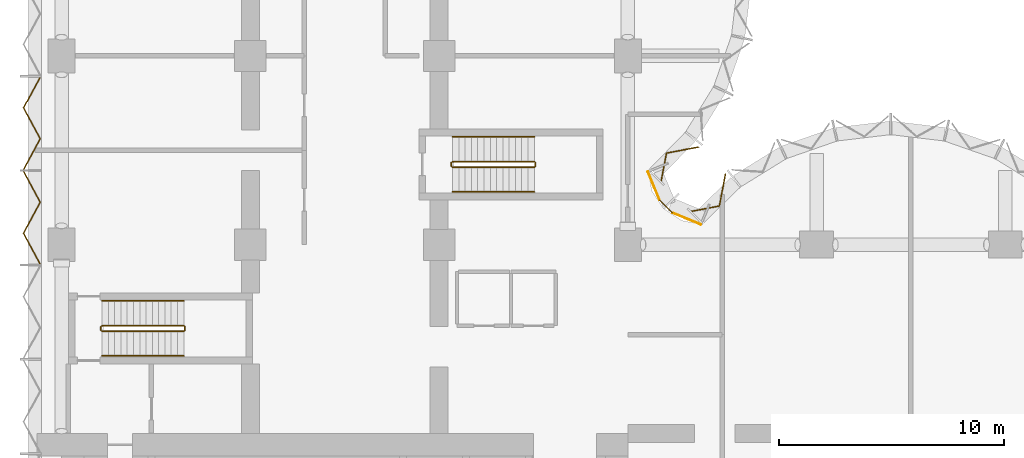
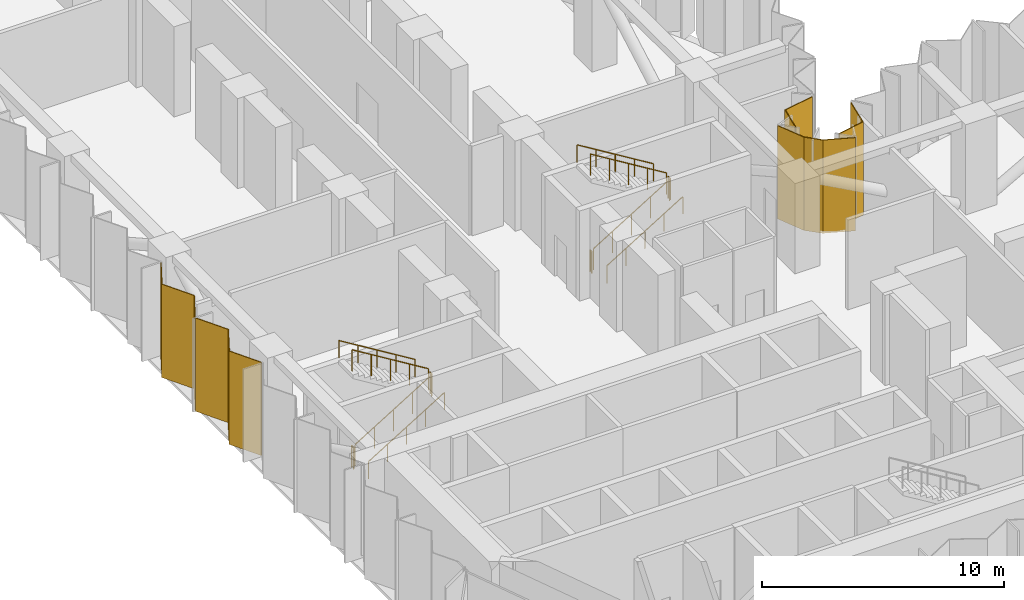
# One storey, part 16 of 18: 12 railings, 7 coverings, 4 elements without a shape of their own.
"""IFC4 building model written with IfcOpenShell, lengths in metres."""

from ifc_helpers import new_model, si_unit, direction, frame, origin, origin_2d, place, context, subcontext, project, spatial, polyline, circle, outline, extrude, material, layer, layer_set, type_object, element, aggregate, save


model = new_model("IFC4")

# Units and contexts
model_context = context("Model", 3, precision=1e-05, world=origin(), true_north=direction((0.0, 1.0)))
body_context = subcontext(model_context, "Body", "Model", "MODEL_VIEW")
ifc_project = project(units=[si_unit("LENGTHUNIT", "METRE"), si_unit("AREAUNIT", "SQUARE_METRE"), si_unit("VOLUMEUNIT", "CUBIC_METRE"), si_unit("PLANEANGLEUNIT", "RADIAN"), si_unit("MASSUNIT", "GRAM", prefix="KILO")], contexts=[model_context])

# Site, building, storey
site_placement = place(None, origin())
site = spatial("IfcSite", under=ifc_project, at=site_placement, CompositionType="ELEMENT")
building_placement = place(site_placement, origin())
building = spatial("IfcBuilding", under=site, at=building_placement, Name="Brevane Broadcast Tower", CompositionType="ELEMENT")
storey_placement = place(building_placement, frame((0.0, 0.0, 86.89990234375)))
storey = spatial("IfcBuildingStorey", under=building, at=storey_placement, Name="L20", CompositionType="ELEMENT", Elevation=86.89990234375)

# Curtain wall, covering
ifc_material_1 = material(Name="Aluminium 6063-T6 bronze anodised", Category="aluminium")
curtain_wall_type = type_object("IfcCurtainWallType", Name="CW-3 curtain wall", PredefinedType="NOTDEFINED", material=ifc_material_1)
curtain_wall_1_placement = place(storey_placement, origin())
curtain_wall_1 = element("IfcCurtainWall", 1, at=curtain_wall_1_placement, inside=storey, type_object=curtain_wall_type, Name="CW-3 refuge louvre unit L20 east bow", PredefinedType="NOTDEFINED")
ifc_material_2 = material(Name="Aluminium bronze anodised cladding", Category="aluminium")
ifc_layer_1 = layer(ifc_material_2, 0.050048828125)
ifc_layer_set_1 = layer_set([ifc_layer_1], Name="CW refuge spandrel 50")
covering_type_1 = type_object("IfcCoveringType", Name="CW refuge spandrel 50", PredefinedType="CLADDING", material=ifc_layer_set_1)
covering_1_placement = place(storey_placement, frame((0.0, 0.0, -0.159912109375)))
covering_1 = element("IfcCovering", 2, at=covering_1_placement, type_object=covering_type_1, Name="Refuge cladding panel", PredefinedType="CLADDING", context=body_context, shape_type="SweptSolid", body=[
    extrude(outline(polyline([(29.564697265625, 28.340576171875), (29.531982421875, 28.382568359375), (29.2607421875, 26.9423828125), (27.97900390625, 26.693603515625), (28.01220703125, 26.659423828125), (29.294921875, 26.908203125), (29.564697265625, 28.340576171875)])), origin(), (0.0, 0.0, 1.0), 4.7099609375),
])
aggregate(curtain_wall_1, [covering_1])

# Curtain wall, coverings
curtain_wall_2_placement = place(storey_placement, origin())
curtain_wall_2 = element("IfcCurtainWall", 3, at=curtain_wall_2_placement, inside=storey, type_object=curtain_wall_type, Name="CW-3 refuge louvre unit L20 inner corner", PredefinedType="NOTDEFINED")
covering_2_placement = place(storey_placement, frame((0.0, 0.0, -0.159912109375)))
covering_2 = element("IfcCovering", 4, at=covering_2_placement, type_object=covering_type_1, Name="Refuge cladding panel", PredefinedType="CLADDING", context=body_context, shape_type="SweptSolid", body=[
    extrude(outline(polyline([(28.447021484375, 26.07666015625), (28.46240234375, 26.113525390625), (27.20703125, 26.63330078125), (27.176513671875, 26.602783203125), (28.447021484375, 26.07666015625)])), origin(), (0.0, 0.0, 1.0), 4.7099609375),
])
covering_3_placement = place(storey_placement, frame((0.0, 0.0, -0.159912109375)))
covering_3 = element("IfcCovering", 5, at=covering_3_placement, type_object=covering_type_1, Name="Refuge cladding panel", PredefinedType="CLADDING", context=body_context, shape_type="SweptSolid", body=[
    extrude(outline(polyline([(26.602783203125, 27.176513671875), (26.63330078125, 27.20703125), (26.113525390625, 28.46240234375), (26.07666015625, 28.447021484375), (26.602783203125, 27.176513671875)])), origin(), (0.0, 0.0, 1.0), 4.7099609375),
])

# Curtain wall, covering
curtain_wall_3_placement = place(storey_placement, origin())
curtain_wall_3 = element("IfcCurtainWall", 6, at=curtain_wall_3_placement, inside=storey, type_object=curtain_wall_type, Name="CW-3 refuge louvre unit L20 north bow", PredefinedType="NOTDEFINED")
covering_4_placement = place(storey_placement, frame((0.0, 0.0, -0.159912109375)))
covering_4 = element("IfcCovering", 7, at=covering_4_placement, type_object=covering_type_1, Name="Refuge cladding panel", PredefinedType="CLADDING", context=body_context, shape_type="SweptSolid", body=[
    extrude(outline(polyline([(26.659423828125, 28.01220703125), (26.693603515625, 27.97900390625), (26.9423828125, 29.2607421875), (28.382568359375, 29.531982421875), (28.340576171875, 29.564697265625), (26.908203125, 29.294921875), (26.659423828125, 28.01220703125)])), origin(), (0.0, 0.0, 1.0), 4.7099609375),
])
aggregate(curtain_wall_3, [covering_4])

# Curtain wall, coverings
curtain_wall_4_placement = place(storey_placement, origin())
curtain_wall_4 = element("IfcCurtainWall", 8, at=curtain_wall_4_placement, inside=storey, type_object=curtain_wall_type, Name="CW-3 refuge louvre unit L20 west face", PredefinedType="NOTDEFINED")
covering_5_placement = place(storey_placement, frame((0.0, 0.0, -0.159912109375)))
covering_5 = element("IfcCovering", 9, at=covering_5_placement, type_object=covering_type_1, Name="Refuge cladding panel", PredefinedType="CLADDING", context=body_context, shape_type="SweptSolid", body=[
    extrude(outline(polyline([(-0.92724609375, 32.659912109375), (-0.97265625, 32.659912109375), (-1.717041015625, 31.28662109375), (-0.97265625, 29.913330078125), (-1.717041015625, 28.5400390625), (-1.671630859375, 28.5400390625), (-0.92724609375, 29.913330078125), (-1.671630859375, 31.28662109375), (-0.92724609375, 32.659912109375)])), origin(), (0.0, 0.0, 1.0), 4.7099609375),
])
covering_6_placement = place(storey_placement, frame((0.0, 0.0, -0.159912109375)))
covering_6 = element("IfcCovering", 10, at=covering_6_placement, type_object=covering_type_1, Name="Refuge cladding panel", PredefinedType="CLADDING", context=body_context, shape_type="SweptSolid", body=[
    extrude(outline(polyline([(-1.671630859375, 28.4599609375), (-1.717041015625, 28.4599609375), (-0.97265625, 27.086669921875), (-1.717041015625, 25.71337890625), (-0.97265625, 24.340087890625), (-0.92724609375, 24.340087890625), (-1.671630859375, 25.71337890625), (-0.92724609375, 27.086669921875), (-1.671630859375, 28.4599609375)])), origin(), (0.0, 0.0, 1.0), 4.7099609375),
])
aggregate(curtain_wall_4, [covering_5, covering_6])

# Railings
ifc_material_3 = material(Name="Steel S355", Category="steel")
railing_type_1 = type_object("IfcRailingType", Name="Exit stair guard", PredefinedType="GUARDRAIL", material=ifc_material_3)
railing_1_placement = place(storey_placement, frame((1.800048828125, 21.35009765625, 0.171630859375)))
element("IfcRailing", 11, at=railing_1_placement, inside=storey, type_object=railing_type_1, Name="L20 ST-1 stair guard 1", PredefinedType="GUARDRAIL", context=body_context, shape_type="SweptSolid", body=[
    extrude(circle(Radius=0.02392578125, at=origin_2d()), frame((0.0, 0.0, 1.076171875), z_axis=(0.852850264322, 0.0, 0.5221555579), x_axis=(0.0, 1.0, 0.0)), (0.0, 0.0, 1.0), 4.267822265625),
    extrude(circle(Radius=0.02099609375, at=origin_2d()), origin(), (0.0, 0.0, 1.0), 1.052001953125),
    extrude(circle(Radius=0.02099609375, at=origin_2d()), frame((0.909912109375, 0.0, 0.55712890625)), (0.0, 0.0, 1.0), 1.052001953125),
    extrude(circle(Radius=0.02099609375, at=origin_2d()), frame((1.81982421875, 0.0, 1.1142578125)), (0.0, 0.0, 1.0), 1.052001953125),
    extrude(circle(Radius=0.02099609375, at=origin_2d()), frame((2.72998046875, 0.0, 1.67138671875)), (0.0, 0.0, 1.0), 1.052001953125),
    extrude(circle(Radius=0.02099609375, at=origin_2d()), frame((3.639892578125, 0.0, 2.228515625)), (0.0, 0.0, 1.0), 1.052001953125),
])
railing_2_placement = place(storey_placement, frame((5.489990234375, 21.39990234375, 2.400146484375)))
element("IfcRailing", 12, at=railing_2_placement, inside=storey, type_object=railing_type_1, Name="L20 ST-1 stair guard 2", PredefinedType="GUARDRAIL", context=body_context, shape_type="SweptSolid", body=[
    extrude(circle(Radius=0.02392578125, at=origin_2d()), frame((0.0, 0.0, 1.076171875), z_axis=(0.0, 1.0, 0.0), x_axis=(-1.0, 0.0, 0.0)), (0.0, 0.0, 1.0), 0.150146484375),
    extrude(circle(Radius=0.02099609375, at=origin_2d()), origin(), (0.0, 0.0, 1.0), 1.052001953125),
    extrude(circle(Radius=0.02099609375, at=origin_2d()), frame((0.0, 0.150146484375, 0.0)), (0.0, 0.0, 1.0), 1.052001953125),
])
railing_3_placement = place(storey_placement, frame((5.43994140625, 21.60009765625, 2.571533203125)))
element("IfcRailing", 13, at=railing_3_placement, inside=storey, type_object=railing_type_1, Name="L20 ST-1 stair guard 3", PredefinedType="GUARDRAIL", context=body_context, shape_type="SweptSolid", body=[
    extrude(circle(Radius=0.02392578125, at=origin_2d()), frame((0.0, 0.0, 1.076171875), z_axis=(-0.852850264322, 0.0, 0.5221555579), x_axis=(0.0, -1.0, 0.0)), (0.0, 0.0, 1.0), 4.267822265625),
    extrude(circle(Radius=0.02099609375, at=origin_2d()), origin(), (0.0, 0.0, 1.0), 1.052001953125),
    extrude(circle(Radius=0.02099609375, at=origin_2d()), frame((-0.909912109375, 0.0, 0.55712890625)), (0.0, 0.0, 1.0), 1.052001953125),
    extrude(circle(Radius=0.02099609375, at=origin_2d()), frame((-1.81982421875, 0.0, 1.1142578125)), (0.0, 0.0, 1.0), 1.052001953125),
    extrude(circle(Radius=0.02099609375, at=origin_2d()), frame((-2.72998046875, 0.0, 1.67138671875)), (0.0, 0.0, 1.0), 1.052001953125),
    extrude(circle(Radius=0.02099609375, at=origin_2d()), frame((-3.639892578125, 0.0, 2.228515625)), (0.0, 0.0, 1.0), 1.052001953125),
])
railing_4_placement = place(storey_placement, frame((1.75, 21.39990234375, 0.0)))
element("IfcRailing", 14, at=railing_4_placement, inside=storey, type_object=railing_type_1, Name="L20 ST-1 stair guard 4", PredefinedType="GUARDRAIL", context=body_context, shape_type="SweptSolid", body=[
    extrude(circle(Radius=0.02392578125, at=origin_2d()), frame((0.0, 0.0, 1.076171875), z_axis=(0.0, 1.0, 0.0), x_axis=(-1.0, 0.0, 0.0)), (0.0, 0.0, 1.0), 0.150146484375),
    extrude(circle(Radius=0.02099609375, at=origin_2d()), origin(), (0.0, 0.0, 1.0), 1.052001953125),
    extrude(circle(Radius=0.02099609375, at=origin_2d()), frame((0.0, 0.150146484375, 0.0)), (0.0, 0.0, 1.0), 1.052001953125),
])
railing_5_placement = place(storey_placement, frame((17.39990234375, 28.64990234375, 0.171630859375)))
element("IfcRailing", 15, at=railing_5_placement, inside=storey, type_object=railing_type_1, Name="L20 ST-3 stair guard 1", PredefinedType="GUARDRAIL", context=body_context, shape_type="SweptSolid", body=[
    extrude(circle(Radius=0.02392578125, at=origin_2d()), frame((0.0, 0.0, 1.076171875), z_axis=(0.852865859571, 0.0, 0.52213008492), x_axis=(0.0, 1.0, 0.0)), (0.0, 0.0, 1.0), 4.26806640625),
    extrude(circle(Radius=0.02099609375, at=origin_2d()), origin(), (0.0, 0.0, 1.0), 1.052001953125),
    extrude(circle(Radius=0.02099609375, at=origin_2d()), frame((0.91015625, 0.0, 0.55712890625)), (0.0, 0.0, 1.0), 1.052001953125),
    extrude(circle(Radius=0.02099609375, at=origin_2d()), frame((1.820068359375, 0.0, 1.1142578125)), (0.0, 0.0, 1.0), 1.052001953125),
    extrude(circle(Radius=0.02099609375, at=origin_2d()), frame((2.72998046875, 0.0, 1.67138671875)), (0.0, 0.0, 1.0), 1.052001953125),
    extrude(circle(Radius=0.02099609375, at=origin_2d()), frame((3.64013671875, 0.0, 2.228515625)), (0.0, 0.0, 1.0), 1.052001953125),
])
railing_6_placement = place(storey_placement, frame((21.090087890625, 28.699951171875, 2.400146484375)))
element("IfcRailing", 16, at=railing_6_placement, inside=storey, type_object=railing_type_1, Name="L20 ST-3 stair guard 2", PredefinedType="GUARDRAIL", context=body_context, shape_type="SweptSolid", body=[
    extrude(circle(Radius=0.02392578125, at=origin_2d()), frame((0.0, 0.0, 1.076171875), z_axis=(0.0, 1.0, 0.0), x_axis=(-1.0, 0.0, 0.0)), (0.0, 0.0, 1.0), 0.150146484375),
    extrude(circle(Radius=0.02099609375, at=origin_2d()), origin(), (0.0, 0.0, 1.0), 1.052001953125),
    extrude(circle(Radius=0.02099609375, at=origin_2d()), frame((0.0, 0.150146484375, 0.0)), (0.0, 0.0, 1.0), 1.052001953125),
])
railing_7_placement = place(storey_placement, frame((21.0400390625, 28.89990234375, 2.571533203125)))
element("IfcRailing", 17, at=railing_7_placement, inside=storey, type_object=railing_type_1, Name="L20 ST-3 stair guard 3", PredefinedType="GUARDRAIL", context=body_context, shape_type="SweptSolid", body=[
    extrude(circle(Radius=0.02392578125, at=origin_2d()), frame((0.0, 0.0, 1.076171875), z_axis=(-0.852865859571, 0.0, 0.52213008492), x_axis=(0.0, -1.0, 0.0)), (0.0, 0.0, 1.0), 4.26806640625),
    extrude(circle(Radius=0.02099609375, at=origin_2d()), origin(), (0.0, 0.0, 1.0), 1.052001953125),
    extrude(circle(Radius=0.02099609375, at=origin_2d()), frame((-0.91015625, 0.0, 0.55712890625)), (0.0, 0.0, 1.0), 1.052001953125),
    extrude(circle(Radius=0.02099609375, at=origin_2d()), frame((-1.820068359375, 0.0, 1.1142578125)), (0.0, 0.0, 1.0), 1.052001953125),
    extrude(circle(Radius=0.02099609375, at=origin_2d()), frame((-2.72998046875, 0.0, 1.67138671875)), (0.0, 0.0, 1.0), 1.052001953125),
    extrude(circle(Radius=0.02099609375, at=origin_2d()), frame((-3.64013671875, 0.0, 2.228515625)), (0.0, 0.0, 1.0), 1.052001953125),
])
railing_8_placement = place(storey_placement, frame((17.35009765625, 28.699951171875, 0.0)))
element("IfcRailing", 18, at=railing_8_placement, inside=storey, type_object=railing_type_1, Name="L20 ST-3 stair guard 4", PredefinedType="GUARDRAIL", context=body_context, shape_type="SweptSolid", body=[
    extrude(circle(Radius=0.02392578125, at=origin_2d()), frame((0.0, 0.0, 1.076171875), z_axis=(0.0, 1.0, 0.0), x_axis=(-1.0, 0.0, 0.0)), (0.0, 0.0, 1.0), 0.150146484375),
    extrude(circle(Radius=0.02099609375, at=origin_2d()), origin(), (0.0, 0.0, 1.0), 1.052001953125),
    extrude(circle(Radius=0.02099609375, at=origin_2d()), frame((0.0, 0.150146484375, 0.0)), (0.0, 0.0, 1.0), 1.052001953125),
])
railing_type_2 = type_object("IfcRailingType", Name="Exit stair handrail", PredefinedType="HANDRAIL", material=ifc_material_3)
railing_9_placement = place(storey_placement, frame((1.800048828125, 20.25, 0.171630859375)))
element("IfcRailing", 19, at=railing_9_placement, inside=storey, type_object=railing_type_2, Name="L20 ST-1 stair handrail 1", PredefinedType="HANDRAIL", context=body_context, shape_type="SweptSolid", body=[
    extrude(circle(Radius=0.02392578125, at=origin_2d()), frame((0.0, 0.0, 0.8759765625), z_axis=(0.852850264322, 0.0, 0.5221555579), x_axis=(0.0, 1.0, 0.0)), (0.0, 0.0, 1.0), 4.267822265625),
    extrude(circle(Radius=0.02099609375, at=origin_2d()), origin(), (0.0, 0.0, 1.0), 0.851806640625),
    extrude(circle(Radius=0.02099609375, at=origin_2d()), frame((0.909912109375, 0.0, 0.55712890625)), (0.0, 0.0, 1.0), 0.851806640625),
    extrude(circle(Radius=0.02099609375, at=origin_2d()), frame((1.81982421875, 0.0, 1.1142578125)), (0.0, 0.0, 1.0), 0.851806640625),
    extrude(circle(Radius=0.02099609375, at=origin_2d()), frame((2.72998046875, 0.0, 1.67138671875)), (0.0, 0.0, 1.0), 0.851806640625),
    extrude(circle(Radius=0.02099609375, at=origin_2d()), frame((3.639892578125, 0.0, 2.228515625)), (0.0, 0.0, 1.0), 0.851806640625),
])
railing_10_placement = place(storey_placement, frame((5.43994140625, 22.699951171875, 2.571533203125)))
element("IfcRailing", 20, at=railing_10_placement, inside=storey, type_object=railing_type_2, Name="L20 ST-1 stair handrail 2", PredefinedType="HANDRAIL", context=body_context, shape_type="SweptSolid", body=[
    extrude(circle(Radius=0.02392578125, at=origin_2d()), frame((0.0, 0.0, 0.8759765625), z_axis=(-0.852850264322, 0.0, 0.5221555579), x_axis=(0.0, -1.0, 0.0)), (0.0, 0.0, 1.0), 4.267822265625),
    extrude(circle(Radius=0.02099609375, at=origin_2d()), origin(), (0.0, 0.0, 1.0), 0.851806640625),
    extrude(circle(Radius=0.02099609375, at=origin_2d()), frame((-0.909912109375, 0.0, 0.55712890625)), (0.0, 0.0, 1.0), 0.851806640625),
    extrude(circle(Radius=0.02099609375, at=origin_2d()), frame((-1.81982421875, 0.0, 1.1142578125)), (0.0, 0.0, 1.0), 0.851806640625),
    extrude(circle(Radius=0.02099609375, at=origin_2d()), frame((-2.72998046875, 0.0, 1.67138671875)), (0.0, 0.0, 1.0), 0.851806640625),
    extrude(circle(Radius=0.02099609375, at=origin_2d()), frame((-3.639892578125, 0.0, 2.228515625)), (0.0, 0.0, 1.0), 0.851806640625),
])
railing_11_placement = place(storey_placement, frame((17.39990234375, 27.550048828125, 0.171630859375)))
element("IfcRailing", 21, at=railing_11_placement, inside=storey, type_object=railing_type_2, Name="L20 ST-3 stair handrail 1", PredefinedType="HANDRAIL", context=body_context, shape_type="SweptSolid", body=[
    extrude(circle(Radius=0.02392578125, at=origin_2d()), frame((0.0, 0.0, 0.8759765625), z_axis=(0.852865859571, 0.0, 0.52213008492), x_axis=(0.0, 1.0, 0.0)), (0.0, 0.0, 1.0), 4.26806640625),
    extrude(circle(Radius=0.02099609375, at=origin_2d()), origin(), (0.0, 0.0, 1.0), 0.851806640625),
    extrude(circle(Radius=0.02099609375, at=origin_2d()), frame((0.91015625, 0.0, 0.55712890625)), (0.0, 0.0, 1.0), 0.851806640625),
    extrude(circle(Radius=0.02099609375, at=origin_2d()), frame((1.820068359375, 0.0, 1.1142578125)), (0.0, 0.0, 1.0), 0.851806640625),
    extrude(circle(Radius=0.02099609375, at=origin_2d()), frame((2.72998046875, 0.0, 1.67138671875)), (0.0, 0.0, 1.0), 0.851806640625),
    extrude(circle(Radius=0.02099609375, at=origin_2d()), frame((3.64013671875, 0.0, 2.228515625)), (0.0, 0.0, 1.0), 0.851806640625),
])
railing_12_placement = place(storey_placement, frame((21.0400390625, 30.0, 2.571533203125)))
element("IfcRailing", 22, at=railing_12_placement, inside=storey, type_object=railing_type_2, Name="L20 ST-3 stair handrail 2", PredefinedType="HANDRAIL", context=body_context, shape_type="SweptSolid", body=[
    extrude(circle(Radius=0.02392578125, at=origin_2d()), frame((0.0, 0.0, 0.8759765625), z_axis=(-0.852865859571, 0.0, 0.52213008492), x_axis=(0.0, -1.0, 0.0)), (0.0, 0.0, 1.0), 4.26806640625),
    extrude(circle(Radius=0.02099609375, at=origin_2d()), origin(), (0.0, 0.0, 1.0), 0.851806640625),
    extrude(circle(Radius=0.02099609375, at=origin_2d()), frame((-0.91015625, 0.0, 0.55712890625)), (0.0, 0.0, 1.0), 0.851806640625),
    extrude(circle(Radius=0.02099609375, at=origin_2d()), frame((-1.820068359375, 0.0, 1.1142578125)), (0.0, 0.0, 1.0), 0.851806640625),
    extrude(circle(Radius=0.02099609375, at=origin_2d()), frame((-2.72998046875, 0.0, 1.67138671875)), (0.0, 0.0, 1.0), 0.851806640625),
    extrude(circle(Radius=0.02099609375, at=origin_2d()), frame((-3.64013671875, 0.0, 2.228515625)), (0.0, 0.0, 1.0), 0.851806640625),
])

# Covering
ifc_material_4 = material(Name="Back-painted bronze glass shadow-box", Category="glass")
ifc_layer_2 = layer(ifc_material_4, 0.0400390625)
ifc_layer_set_2 = layer_set([ifc_layer_2], Name="Shadow-box panel 40")
covering_type_2 = type_object("IfcCoveringType", Name="Shadow-box panel 40", PredefinedType="CLADDING", material=ifc_layer_set_2)
covering_7_placement = place(storey_placement, frame((0.0, 0.0, -0.159912109375)))
covering_7 = element("IfcCovering", 23, at=covering_7_placement, type_object=covering_type_2, Name="Closure panel", PredefinedType="CLADDING", context=body_context, shape_type="SweptSolid", body=[
    extrude(outline(polyline([(27.176513671875, 26.602783203125), (27.20703125, 26.63330078125), (26.63330078125, 27.20703125), (26.602783203125, 27.176513671875), (27.176513671875, 26.602783203125)])), origin(), (0.0, 0.0, 1.0), 4.7099609375),
])

aggregate(curtain_wall_2, [covering_2, covering_3, covering_7])

save(model, "model.ifc")
